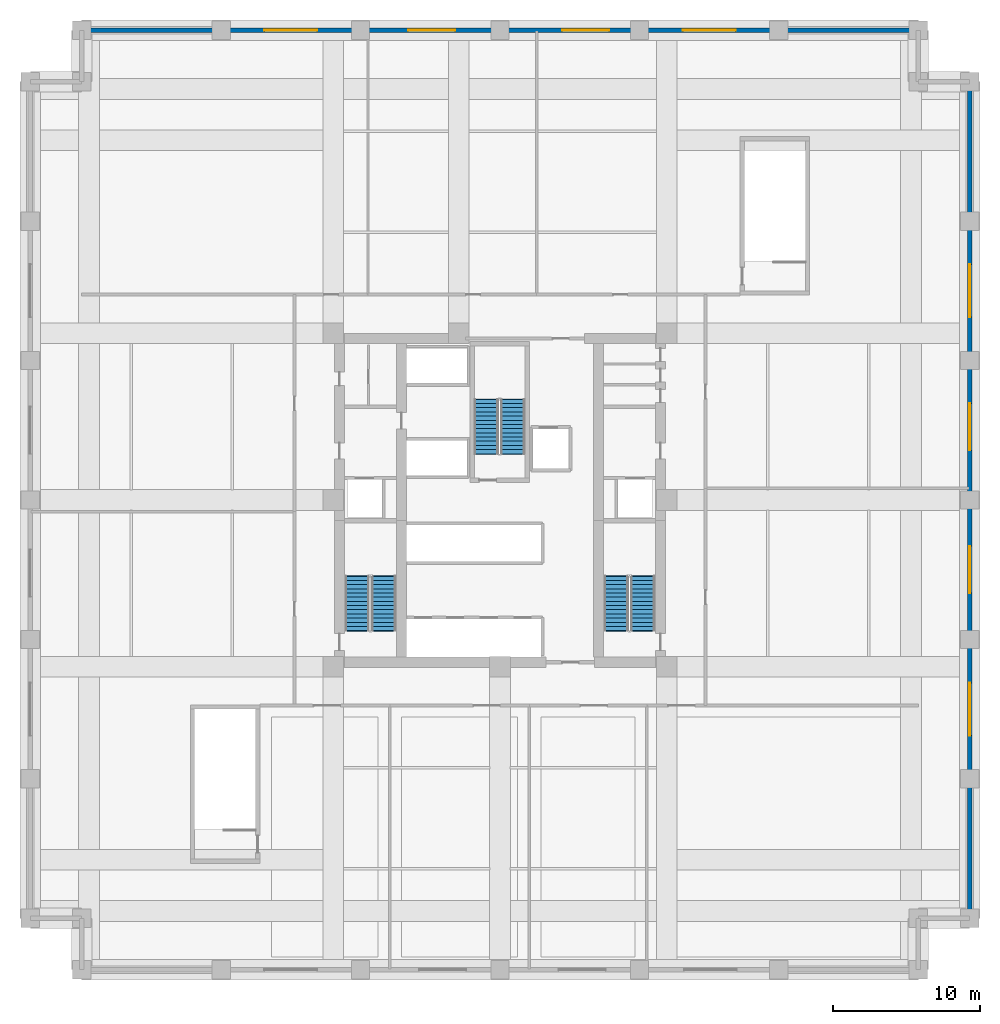
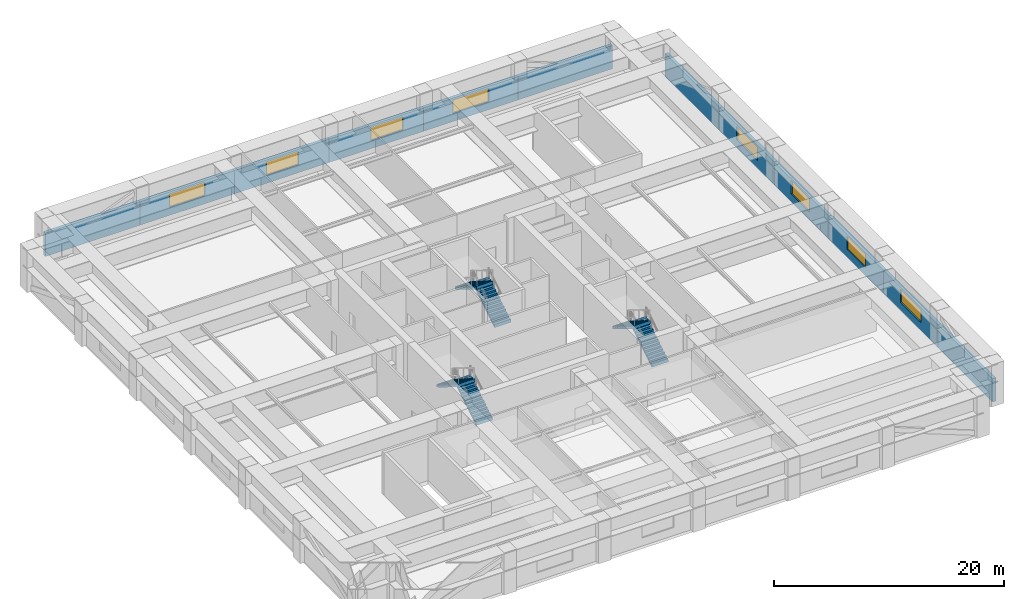
# One storey, part 5 of 8: 12 walls, 8 windows, 6 stair flights, 8 openings, 3 elements without a shape of their own.
"""IFC4 building model written with IfcOpenShell, lengths in metres."""

from ifc_helpers import new_model, si_unit, direction, frame, frame_2d, origin, place, context, subcontext, project, spatial, polyline, rectangle, outline, extrude, material, layer, layer_set, type_object, element, fill, aggregate, save


model = new_model("IFC4")

# Units and contexts
model_context = context("Model", 3, precision=1e-05, world=origin(), true_north=direction((0.0, 1.0)))
body_context = subcontext(model_context, "Body", "Model", "MODEL_VIEW")
ifc_project = project(units=[si_unit("LENGTHUNIT", "METRE"), si_unit("AREAUNIT", "SQUARE_METRE"), si_unit("VOLUMEUNIT", "CUBIC_METRE"), si_unit("PLANEANGLEUNIT", "RADIAN"), si_unit("MASSUNIT", "GRAM", prefix="KILO")], contexts=[model_context])

# Site, building, storey
site_placement = place(None, origin())
site = spatial("IfcSite", under=ifc_project, at=site_placement, CompositionType="ELEMENT")
building_placement = place(site_placement, origin())
building = spatial("IfcBuilding", under=site, at=building_placement, Name="Nhamokura Convention Tower", CompositionType="ELEMENT")
storey_placement = place(building_placement, frame((0.0, 0.0, 29.39990234375)))
storey = spatial("IfcBuildingStorey", under=building, at=storey_placement, Name="L05", CompositionType="ELEMENT", Elevation=29.39990234375)

# Wall
ifc_material_1 = material(Name="Bronze-pigmented precast concrete C45/55", Category="concrete")
ifc_layer = layer(ifc_material_1, 0.320068359375)
ifc_layer_set = layer_set([ifc_layer], Name="BronzePrecastSpandrel_320")
wall_type = type_object("IfcWallType", Name="BronzePrecastSpandrel_320", PredefinedType="USERDEFINED", material=ifc_layer_set)
wall_1_placement = place(storey_placement, frame((3.5, 64.0, 0.0), z_axis=(0.0, 0.0, 1.0), x_axis=(1.0, 0.0, 0.0)))
element("IfcWall", 1, at=wall_1_placement, inside=storey, type_object=wall_type, Name="L05 Braced-Bay Precast Wall NORTH 0", ObjectType="SPANDREL_WALL", PredefinedType="USERDEFINED", context=body_context, shape_type="SweptSolid", body=[
    extrude(rectangle(XDim=9.5, YDim=0.320068359375, at=frame_2d((4.75, 0.0))), origin(), (0.0, 0.0, 1.0), 2.47998046875),
])

# Wall, opening, window
wall_2_placement = place(storey_placement, frame((13.0, 64.0, 0.0), z_axis=(0.0, 0.0, 1.0), x_axis=(1.0, 0.0, 0.0)))
wall_2 = element("IfcWall", 2, at=wall_2_placement, inside=storey, type_object=wall_type, Name="L05 Masonry-Frame Wall NORTH 1", ObjectType="SPANDREL_WALL", PredefinedType="USERDEFINED", context=body_context, shape_type="SweptSolid", body=[
    extrude(rectangle(XDim=9.5, YDim=0.320068359375, at=frame_2d((4.75, 0.0))), origin(), (0.0, 0.0, 1.0), 2.47998046875),
])
opening_1_placement = place(wall_2_placement, frame((2.949951171875, 0.0, 0.85009765625)))
opening_1 = element("IfcOpeningElement", 3, at=opening_1_placement, cuts=wall_2, Name="Opening W-01", PredefinedType="OPENING", context=body_context, shape_type="SweptSolid", body=[
    extrude(rectangle(XDim=3.60009765625, YDim=1.429931640625, at=frame_2d((1.800048828125, 0.71484375))), frame((0.0, 0.169921875, 0.0), z_axis=(0.0, -1.0, 0.0), x_axis=(1.0, 0.0, 0.0)), (0.0, 0.0, 1.0), 0.340087890625),
])
ifc_material_2 = material(Name="Solar-control bronze low-E double glass", Category="glass")
window_type_1 = type_object("IfcWindowType", Name="PodiumClerestoryWindow_3600", PartitioningType="TRIPLE_PANEL_VERTICAL", PredefinedType="WINDOW", material=ifc_material_2)
window_1_placement = place(opening_1_placement, origin())
window_1 = element("IfcWindow", 4, at=window_1_placement, inside=storey, type_object=window_type_1, Name="L05 Facade Window NORTH 1", OverallHeight=1.429931640625, OverallWidth=3.60009765625, PartitioningType="SINGLE_PANEL", PredefinedType="WINDOW", context=body_context, shape_type="SweptSolid", body=[
    extrude(rectangle(XDim=3.60009765625, YDim=1.429931640625, at=frame_2d((1.800048828125, 0.71484375))), frame((0.0, 0.030029296875, 0.0), z_axis=(0.0, -1.0, 0.0), x_axis=(1.0, 0.0, 0.0)), (0.0, 0.0, 1.0), 0.06005859375),
])
fill(opening_1, window_1)

wall_3_placement = place(storey_placement, frame((22.5, 64.0, 0.0), z_axis=(0.0, 0.0, 1.0), x_axis=(1.0, 0.0, 0.0)))
wall_3 = element("IfcWall", 5, at=wall_3_placement, inside=storey, type_object=wall_type, Name="L05 Masonry-Frame Wall NORTH 2", ObjectType="SPANDREL_WALL", PredefinedType="USERDEFINED", context=body_context, shape_type="SweptSolid", body=[
    extrude(rectangle(XDim=9.5, YDim=0.320068359375, at=frame_2d((4.75, 0.0))), origin(), (0.0, 0.0, 1.0), 2.47998046875),
])
opening_2_placement = place(wall_3_placement, frame((3.237548828125, 0.0, 0.85009765625)))
opening_2 = element("IfcOpeningElement", 6, at=opening_2_placement, cuts=wall_3, Name="Opening W-02", PredefinedType="OPENING", context=body_context, shape_type="SweptSolid", body=[
    extrude(rectangle(XDim=3.199951171875, YDim=1.429931640625, at=frame_2d((1.60009765625, 0.71484375))), frame((0.0, 0.169921875, 0.0), z_axis=(0.0, -1.0, 0.0), x_axis=(1.0, 0.0, 0.0)), (0.0, 0.0, 1.0), 0.340087890625),
])
ifc_material_3 = material(Name="Solar-control bronze low-E double glass", Category="glass")
window_type_2 = type_object("IfcWindowType", Name="ConventionFoyerWindow_3200", PartitioningType="DOUBLE_PANEL_VERTICAL", PredefinedType="WINDOW", material=ifc_material_3)
window_2_placement = place(opening_2_placement, origin())
window_2 = element("IfcWindow", 7, at=window_2_placement, inside=storey, type_object=window_type_2, Name="L05 Facade Window NORTH 2", OverallHeight=1.429931640625, OverallWidth=3.199951171875, PartitioningType="SINGLE_PANEL", PredefinedType="WINDOW", context=body_context, shape_type="SweptSolid", body=[
    extrude(rectangle(XDim=3.199951171875, YDim=1.429931640625, at=frame_2d((1.60009765625, 0.71484375))), frame((0.0, 0.030029296875, 0.0), z_axis=(0.0, -1.0, 0.0), x_axis=(1.0, 0.0, 0.0)), (0.0, 0.0, 1.0), 0.06005859375),
])
fill(opening_2, window_2)

wall_4_placement = place(storey_placement, frame((32.0, 64.0, 0.0), z_axis=(0.0, 0.0, 1.0), x_axis=(1.0, 0.0, 0.0)))
wall_4 = element("IfcWall", 8, at=wall_4_placement, inside=storey, type_object=wall_type, Name="L05 Masonry-Frame Wall NORTH 3", ObjectType="SPANDREL_WALL", PredefinedType="USERDEFINED", context=body_context, shape_type="SweptSolid", body=[
    extrude(rectangle(XDim=9.5, YDim=0.320068359375, at=frame_2d((4.75, 0.0))), origin(), (0.0, 0.0, 1.0), 2.47998046875),
])
opening_3_placement = place(wall_4_placement, frame((4.237548828125, 0.0, 0.85009765625)))
opening_3 = element("IfcOpeningElement", 9, at=opening_3_placement, cuts=wall_4, Name="Opening W-02", PredefinedType="OPENING", context=body_context, shape_type="SweptSolid", body=[
    extrude(rectangle(XDim=3.199951171875, YDim=1.429931640625, at=frame_2d((1.60009765625, 0.71484375))), frame((0.0, 0.169921875, 0.0), z_axis=(0.0, -1.0, 0.0), x_axis=(1.0, 0.0, 0.0)), (0.0, 0.0, 1.0), 0.340087890625),
])
window_3_placement = place(opening_3_placement, origin())
window_3 = element("IfcWindow", 10, at=window_3_placement, inside=storey, type_object=window_type_2, Name="L05 Facade Window NORTH 3-2", OverallHeight=1.429931640625, OverallWidth=3.199951171875, PartitioningType="SINGLE_PANEL", PredefinedType="WINDOW", context=body_context, shape_type="SweptSolid", body=[
    extrude(rectangle(XDim=3.199951171875, YDim=1.429931640625, at=frame_2d((1.60009765625, 0.71484375))), frame((0.0, 0.030029296875, 0.0), z_axis=(0.0, -1.0, 0.0), x_axis=(1.0, 0.0, 0.0)), (0.0, 0.0, 1.0), 0.06005859375),
])
fill(opening_3, window_3)

wall_5_placement = place(storey_placement, frame((41.5, 64.0, 0.0), z_axis=(0.0, 0.0, 1.0), x_axis=(1.0, 0.0, 0.0)))
wall_5 = element("IfcWall", 11, at=wall_5_placement, inside=storey, type_object=wall_type, Name="L05 Masonry-Frame Wall NORTH 4", ObjectType="SPANDREL_WALL", PredefinedType="USERDEFINED", context=body_context, shape_type="SweptSolid", body=[
    extrude(rectangle(XDim=9.5, YDim=0.320068359375, at=frame_2d((4.75, 0.0))), origin(), (0.0, 0.0, 1.0), 2.47998046875),
])
opening_4_placement = place(wall_5_placement, frame((2.949951171875, 0.0, 0.85009765625)))
opening_4 = element("IfcOpeningElement", 12, at=opening_4_placement, cuts=wall_5, Name="Opening W-01", PredefinedType="OPENING", context=body_context, shape_type="SweptSolid", body=[
    extrude(rectangle(XDim=3.60009765625, YDim=1.429931640625, at=frame_2d((1.800048828125, 0.71484375))), frame((0.0, 0.169921875, 0.0), z_axis=(0.0, -1.0, 0.0), x_axis=(1.0, 0.0, 0.0)), (0.0, 0.0, 1.0), 0.340087890625),
])
window_4_placement = place(opening_4_placement, origin())
window_4 = element("IfcWindow", 13, at=window_4_placement, inside=storey, type_object=window_type_1, Name="L05 Facade Window NORTH 4", OverallHeight=1.429931640625, OverallWidth=3.60009765625, PartitioningType="SINGLE_PANEL", PredefinedType="WINDOW", context=body_context, shape_type="SweptSolid", body=[
    extrude(rectangle(XDim=3.60009765625, YDim=1.429931640625, at=frame_2d((1.800048828125, 0.71484375))), frame((0.0, 0.030029296875, 0.0), z_axis=(0.0, -1.0, 0.0), x_axis=(1.0, 0.0, 0.0)), (0.0, 0.0, 1.0), 0.06005859375),
])
fill(opening_4, window_4)

# Walls
for number, where, z_axis, x_axis, name in (
    (14, (51.0, 64.0, 0.0), (0.0, 0.0, 1.0), (1.0, 0.0, 0.0), "L05 Braced-Bay Precast Wall NORTH 5"),
    (15, (64.0, 13.0, 0.0), (0.0, 0.0, 1.0), (0.0, -1.0, 0.0), "L05 Braced-Bay Precast Wall EAST 0"),
):
    element("IfcWall", number, at=place(storey_placement, frame(where, z_axis=z_axis, x_axis=x_axis)), inside=storey, type_object=wall_type, Name=name, ObjectType="SPANDREL_WALL", PredefinedType="USERDEFINED", context=body_context, shape_type="SweptSolid", body=[
        extrude(rectangle(XDim=9.5, YDim=0.320068359375, at=frame_2d((4.75, 0.0))), origin(), (0.0, 0.0, 1.0), 2.47998046875),
    ])

# Wall, opening, window
wall_6_placement = place(storey_placement, frame((64.0, 22.5, 0.0), z_axis=(0.0, 0.0, 1.0), x_axis=(0.0, -1.0, 0.0)))
wall_6 = element("IfcWall", 16, at=wall_6_placement, inside=storey, type_object=wall_type, Name="L05 Masonry-Frame Wall EAST 1", ObjectType="SPANDREL_WALL", PredefinedType="USERDEFINED", context=body_context, shape_type="SweptSolid", body=[
    extrude(rectangle(XDim=9.5, YDim=0.320068359375, at=frame_2d((4.75, 0.0))), origin(), (0.0, 0.0, 1.0), 2.47998046875),
])
opening_5_placement = place(wall_6_placement, frame((2.949951171875, 0.0, 0.85009765625)))
opening_5 = element("IfcOpeningElement", 17, at=opening_5_placement, cuts=wall_6, Name="Opening W-01", PredefinedType="OPENING", context=body_context, shape_type="SweptSolid", body=[
    extrude(rectangle(XDim=3.60009765625, YDim=1.429931640625, at=frame_2d((1.800048828125, 0.71484375))), frame((0.0, 0.169921875, 0.0), z_axis=(0.0, -1.0, 0.0), x_axis=(1.0, 0.0, 0.0)), (0.0, 0.0, 1.0), 0.340087890625),
])
window_5_placement = place(opening_5_placement, origin())
window_5 = element("IfcWindow", 18, at=window_5_placement, inside=storey, type_object=window_type_1, Name="L05 Facade Window EAST 1", OverallHeight=1.429931640625, OverallWidth=3.60009765625, PartitioningType="SINGLE_PANEL", PredefinedType="WINDOW", context=body_context, shape_type="SweptSolid", body=[
    extrude(rectangle(XDim=3.60009765625, YDim=1.429931640625, at=frame_2d((1.800048828125, 0.71484375))), frame((0.0, 0.030029296875, 0.0), z_axis=(0.0, -1.0, 0.0), x_axis=(1.0, 0.0, 0.0)), (0.0, 0.0, 1.0), 0.06005859375),
])
fill(opening_5, window_5)

wall_7_placement = place(storey_placement, frame((64.0, 32.0, 0.0), z_axis=(0.0, 0.0, 1.0), x_axis=(0.0, -1.0, 0.0)))
wall_7 = element("IfcWall", 19, at=wall_7_placement, inside=storey, type_object=wall_type, Name="L05 Masonry-Frame Wall EAST 2", ObjectType="SPANDREL_WALL", PredefinedType="USERDEFINED", context=body_context, shape_type="SweptSolid", body=[
    extrude(rectangle(XDim=9.5, YDim=0.320068359375, at=frame_2d((4.75, 0.0))), origin(), (0.0, 0.0, 1.0), 2.47998046875),
])
opening_6_placement = place(wall_7_placement, frame((3.14990234375, 0.0, 0.85009765625)))
opening_6 = element("IfcOpeningElement", 20, at=opening_6_placement, cuts=wall_7, Name="Opening W-02", PredefinedType="OPENING", context=body_context, shape_type="SweptSolid", body=[
    extrude(rectangle(XDim=3.199951171875, YDim=1.429931640625, at=frame_2d((1.60009765625, 0.71484375))), frame((0.0, 0.169921875, 0.0), z_axis=(0.0, -1.0, 0.0), x_axis=(1.0, 0.0, 0.0)), (0.0, 0.0, 1.0), 0.340087890625),
])
window_6_placement = place(opening_6_placement, origin())
window_6 = element("IfcWindow", 21, at=window_6_placement, inside=storey, type_object=window_type_2, Name="L05 Facade Window EAST 2", OverallHeight=1.429931640625, OverallWidth=3.199951171875, PartitioningType="SINGLE_PANEL", PredefinedType="WINDOW", context=body_context, shape_type="SweptSolid", body=[
    extrude(rectangle(XDim=3.199951171875, YDim=1.429931640625, at=frame_2d((1.60009765625, 0.71484375))), frame((0.0, 0.030029296875, 0.0), z_axis=(0.0, -1.0, 0.0), x_axis=(1.0, 0.0, 0.0)), (0.0, 0.0, 1.0), 0.06005859375),
])
fill(opening_6, window_6)

wall_8_placement = place(storey_placement, frame((64.0, 41.5, 0.0), z_axis=(0.0, 0.0, 1.0), x_axis=(0.0, -1.0, 0.0)))
wall_8 = element("IfcWall", 22, at=wall_8_placement, inside=storey, type_object=wall_type, Name="L05 Masonry-Frame Wall EAST 3", ObjectType="SPANDREL_WALL", PredefinedType="USERDEFINED", context=body_context, shape_type="SweptSolid", body=[
    extrude(rectangle(XDim=9.5, YDim=0.320068359375, at=frame_2d((4.75, 0.0))), origin(), (0.0, 0.0, 1.0), 2.47998046875),
])
opening_7_placement = place(wall_8_placement, frame((2.91259765625, 0.0, 0.85009765625)))
opening_7 = element("IfcOpeningElement", 23, at=opening_7_placement, cuts=wall_8, Name="Opening W-02", PredefinedType="OPENING", context=body_context, shape_type="SweptSolid", body=[
    extrude(rectangle(XDim=3.199951171875, YDim=1.429931640625, at=frame_2d((1.60009765625, 0.71484375))), frame((0.0, 0.169921875, 0.0), z_axis=(0.0, -1.0, 0.0), x_axis=(1.0, 0.0, 0.0)), (0.0, 0.0, 1.0), 0.340087890625),
])
window_7_placement = place(opening_7_placement, origin())
window_7 = element("IfcWindow", 24, at=window_7_placement, inside=storey, type_object=window_type_2, Name="L05 Facade Window EAST 3", OverallHeight=1.429931640625, OverallWidth=3.199951171875, PartitioningType="SINGLE_PANEL", PredefinedType="WINDOW", context=body_context, shape_type="SweptSolid", body=[
    extrude(rectangle(XDim=3.199951171875, YDim=1.429931640625, at=frame_2d((1.60009765625, 0.71484375))), frame((0.0, 0.030029296875, 0.0), z_axis=(0.0, -1.0, 0.0), x_axis=(1.0, 0.0, 0.0)), (0.0, 0.0, 1.0), 0.06005859375),
])
fill(opening_7, window_7)

wall_9_placement = place(storey_placement, frame((64.0, 51.0, 0.0), z_axis=(0.0, 0.0, 1.0), x_axis=(0.0, -1.0, 0.0)))
wall_9 = element("IfcWall", 25, at=wall_9_placement, inside=storey, type_object=wall_type, Name="L05 Masonry-Frame Wall EAST 4", ObjectType="SPANDREL_WALL", PredefinedType="USERDEFINED", context=body_context, shape_type="SweptSolid", body=[
    extrude(rectangle(XDim=9.5, YDim=0.320068359375, at=frame_2d((4.75, 0.0))), origin(), (0.0, 0.0, 1.0), 2.47998046875),
])
opening_8_placement = place(wall_9_placement, frame((2.949951171875, 0.0, 0.85009765625)))
opening_8 = element("IfcOpeningElement", 26, at=opening_8_placement, cuts=wall_9, Name="Opening W-01", PredefinedType="OPENING", context=body_context, shape_type="SweptSolid", body=[
    extrude(rectangle(XDim=3.60009765625, YDim=1.429931640625, at=frame_2d((1.800048828125, 0.71484375))), frame((0.0, 0.169921875, 0.0), z_axis=(0.0, -1.0, 0.0), x_axis=(1.0, 0.0, 0.0)), (0.0, 0.0, 1.0), 0.340087890625),
])
window_8_placement = place(opening_8_placement, origin())
window_8 = element("IfcWindow", 27, at=window_8_placement, inside=storey, type_object=window_type_1, Name="L05 Facade Window EAST 4", OverallHeight=1.429931640625, OverallWidth=3.60009765625, PartitioningType="SINGLE_PANEL", PredefinedType="WINDOW", context=body_context, shape_type="SweptSolid", body=[
    extrude(rectangle(XDim=3.60009765625, YDim=1.429931640625, at=frame_2d((1.800048828125, 0.71484375))), frame((0.0, 0.030029296875, 0.0), z_axis=(0.0, -1.0, 0.0), x_axis=(1.0, 0.0, 0.0)), (0.0, 0.0, 1.0), 0.06005859375),
])
fill(opening_8, window_8)

# Wall
wall_10_placement = place(storey_placement, frame((64.0, 60.5, 0.0), z_axis=(0.0, 0.0, 1.0), x_axis=(0.0, -1.0, 0.0)))
element("IfcWall", 28, at=wall_10_placement, inside=storey, type_object=wall_type, Name="L05 Braced-Bay Precast Wall EAST 5", ObjectType="SPANDREL_WALL", PredefinedType="USERDEFINED", context=body_context, shape_type="SweptSolid", body=[
    extrude(rectangle(XDim=9.5, YDim=0.320068359375, at=frame_2d((4.75, 0.0))), origin(), (0.0, 0.0, 1.0), 2.47998046875),
])

# Stair, stair flights
ifc_material_4 = material(Name="Concrete C40/50", Category="concrete")
stair_type = type_object("IfcStairType", Name="TowerCoreStair_1650", PredefinedType="HALF_TURN_STAIR", material=ifc_material_4)
stair_1_placement = place(storey_placement, origin())
stair_1 = element("IfcStair", 29, at=stair_1_placement, inside=storey, type_object=stair_type, Name="L05 West Core Smokeproof Stair ST-01", PredefinedType="HALF_TURN_STAIR")
ifc_material_5 = material(Name="Concrete C40/50", Category="concrete")
stair_flight_type = type_object("IfcStairFlightType", Name="TowerCoreStair_1650_Flight", PredefinedType="STRAIGHT", material=ifc_material_5)
stair_flight_1_placement = place(storey_placement, frame((24.074951171875, 23.10009765625, 0.0), z_axis=(0.0, 0.0, 1.0), x_axis=(0.0, 1.0, 0.0)))
stair_flight_1 = element("IfcStairFlight", 30, at=stair_flight_1_placement, type_object=stair_flight_type, Name="ST-01 flight 1", NumberOfRisers=14, NumberOfTreads=13, PredefinedType="STRAIGHT", RiserHeight=0.175, TreadLength=0.285, context=body_context, shape_type="SweptSolid", body=[
    extrude(outline(polyline([(-0.0419921875, 0.0), (0.0, 0.175048828125), (0.284912109375, 0.175048828125), (0.284912109375, 0.35009765625), (0.570068359375, 0.35009765625), (0.570068359375, 0.52490234375), (0.85498046875, 0.52490234375), (0.85498046875, 0.699951171875), (1.139892578125, 0.699951171875), (1.139892578125, 0.875), (1.425048828125, 0.875), (1.425048828125, 1.050048828125), (1.7099609375, 1.050048828125), (1.7099609375, 1.22509765625), (1.9951171875, 1.22509765625), (1.9951171875, 1.39990234375), (2.280029296875, 1.39990234375), (2.280029296875, 1.574951171875), (2.56494140625, 1.574951171875), (2.56494140625, 1.75), (2.85009765625, 1.75), (2.85009765625, 1.925048828125), (3.135009765625, 1.925048828125), (3.135009765625, 2.10009765625), (3.419921875, 2.10009765625), (3.419921875, 2.27490234375), (3.705078125, 2.27490234375), (3.705078125, 2.449951171875), (3.7470703125, 2.449951171875), (3.7470703125, 2.09912109375), (3.705078125, 2.09912109375), (0.286376953125, 0.0), (0.02001953125, -0.1298828125), (-0.0419921875, -0.1298828125), (-0.0419921875, 0.0)])), frame((0.0, 0.824951171875, 0.0), z_axis=(0.0, -1.0, 0.0), x_axis=(1.0, 0.0, 0.0)), (0.0, 0.0, 1.0), 1.64990234375),
])
stair_flight_2_placement = place(storey_placement, frame((22.27490234375, 26.804931640625, 2.4501953125), z_axis=(0.0, 0.0, 1.0), x_axis=(0.0, -1.0, 0.0)))
stair_flight_2 = element("IfcStairFlight", 31, at=stair_flight_2_placement, type_object=stair_flight_type, Name="ST-01 flight 2", NumberOfRisers=14, NumberOfTreads=13, PredefinedType="STRAIGHT", RiserHeight=0.175, TreadLength=0.285, context=body_context, shape_type="SweptSolid", body=[
    extrude(outline(polyline([(-0.0419921875, 0.0), (0.0, 0.175048828125), (0.284912109375, 0.175048828125), (0.284912109375, 0.35009765625), (0.570068359375, 0.35009765625), (0.570068359375, 0.52490234375), (0.85498046875, 0.52490234375), (0.85498046875, 0.699951171875), (1.139892578125, 0.699951171875), (1.139892578125, 0.875), (1.425048828125, 0.875), (1.425048828125, 1.050048828125), (1.7099609375, 1.050048828125), (1.7099609375, 1.22509765625), (1.9951171875, 1.22509765625), (1.9951171875, 1.39990234375), (2.280029296875, 1.39990234375), (2.280029296875, 1.574951171875), (2.56494140625, 1.574951171875), (2.56494140625, 1.75), (2.85009765625, 1.75), (2.85009765625, 1.925048828125), (3.135009765625, 1.925048828125), (3.135009765625, 2.10009765625), (3.419921875, 2.10009765625), (3.419921875, 2.27490234375), (3.705078125, 2.27490234375), (3.705078125, 2.449951171875), (3.7470703125, 2.449951171875), (3.7470703125, 2.09912109375), (3.705078125, 2.09912109375), (0.286376953125, 0.0), (0.02001953125, -0.1298828125), (-0.0419921875, -0.1298828125), (-0.0419921875, 0.0)])), frame((0.0, 0.824951171875, 0.0), z_axis=(0.0, -1.0, 0.0), x_axis=(1.0, 0.0, 0.0)), (0.0, 0.0, 1.0), 1.64990234375),
])
aggregate(stair_1, [stair_flight_1, stair_flight_2])

stair_2_placement = place(storey_placement, origin())
stair_2 = element("IfcStair", 32, at=stair_2_placement, inside=storey, type_object=stair_type, Name="L05 East Core Smokeproof Stair ST-02", PredefinedType="HALF_TURN_STAIR")
stair_flight_3_placement = place(storey_placement, frame((41.72509765625, 23.10009765625, 0.0), z_axis=(0.0, 0.0, 1.0), x_axis=(0.0, 1.0, 0.0)))
stair_flight_3 = element("IfcStairFlight", 33, at=stair_flight_3_placement, type_object=stair_flight_type, Name="ST-02 flight 1", NumberOfRisers=14, NumberOfTreads=13, PredefinedType="STRAIGHT", RiserHeight=0.175, TreadLength=0.285, context=body_context, shape_type="SweptSolid", body=[
    extrude(outline(polyline([(-0.0419921875, 0.0), (0.0, 0.175048828125), (0.284912109375, 0.175048828125), (0.284912109375, 0.35009765625), (0.570068359375, 0.35009765625), (0.570068359375, 0.52490234375), (0.85498046875, 0.52490234375), (0.85498046875, 0.699951171875), (1.139892578125, 0.699951171875), (1.139892578125, 0.875), (1.425048828125, 0.875), (1.425048828125, 1.050048828125), (1.7099609375, 1.050048828125), (1.7099609375, 1.22509765625), (1.9951171875, 1.22509765625), (1.9951171875, 1.39990234375), (2.280029296875, 1.39990234375), (2.280029296875, 1.574951171875), (2.56494140625, 1.574951171875), (2.56494140625, 1.75), (2.85009765625, 1.75), (2.85009765625, 1.925048828125), (3.135009765625, 1.925048828125), (3.135009765625, 2.10009765625), (3.419921875, 2.10009765625), (3.419921875, 2.27490234375), (3.705078125, 2.27490234375), (3.705078125, 2.449951171875), (3.7470703125, 2.449951171875), (3.7470703125, 2.09912109375), (3.705078125, 2.09912109375), (0.286376953125, 0.0), (0.02001953125, -0.1298828125), (-0.0419921875, -0.1298828125), (-0.0419921875, 0.0)])), frame((0.0, 0.824951171875, 0.0), z_axis=(0.0, -1.0, 0.0), x_axis=(1.0, 0.0, 0.0)), (0.0, 0.0, 1.0), 1.64990234375),
])
stair_flight_4_placement = place(storey_placement, frame((39.925048828125, 26.804931640625, 2.4501953125), z_axis=(0.0, 0.0, 1.0), x_axis=(0.0, -1.0, 0.0)))
stair_flight_4 = element("IfcStairFlight", 34, at=stair_flight_4_placement, type_object=stair_flight_type, Name="ST-02 flight 2", NumberOfRisers=14, NumberOfTreads=13, PredefinedType="STRAIGHT", RiserHeight=0.175, TreadLength=0.285, context=body_context, shape_type="SweptSolid", body=[
    extrude(outline(polyline([(-0.0419921875, 0.0), (0.0, 0.175048828125), (0.284912109375, 0.175048828125), (0.284912109375, 0.35009765625), (0.570068359375, 0.35009765625), (0.570068359375, 0.52490234375), (0.85498046875, 0.52490234375), (0.85498046875, 0.699951171875), (1.139892578125, 0.699951171875), (1.139892578125, 0.875), (1.425048828125, 0.875), (1.425048828125, 1.050048828125), (1.7099609375, 1.050048828125), (1.7099609375, 1.22509765625), (1.9951171875, 1.22509765625), (1.9951171875, 1.39990234375), (2.280029296875, 1.39990234375), (2.280029296875, 1.574951171875), (2.56494140625, 1.574951171875), (2.56494140625, 1.75), (2.85009765625, 1.75), (2.85009765625, 1.925048828125), (3.135009765625, 1.925048828125), (3.135009765625, 2.10009765625), (3.419921875, 2.10009765625), (3.419921875, 2.27490234375), (3.705078125, 2.27490234375), (3.705078125, 2.449951171875), (3.7470703125, 2.449951171875), (3.7470703125, 2.09912109375), (3.705078125, 2.09912109375), (0.286376953125, 0.0), (0.02001953125, -0.1298828125), (-0.0419921875, -0.1298828125), (-0.0419921875, 0.0)])), frame((0.0, 0.824951171875, 0.0), z_axis=(0.0, -1.0, 0.0), x_axis=(1.0, 0.0, 0.0)), (0.0, 0.0, 1.0), 1.64990234375),
])
aggregate(stair_2, [stair_flight_3, stair_flight_4])

stair_3_placement = place(storey_placement, origin())
stair_3 = element("IfcStair", 35, at=stair_3_placement, inside=storey, type_object=stair_type, Name="L05 North Core Smokeproof Stair ST-03", PredefinedType="HALF_TURN_STAIR")
stair_flight_5_placement = place(storey_placement, frame((32.875, 35.14990234375, 0.0), z_axis=(0.0, 0.0, 1.0), x_axis=(0.0, 1.0, 0.0)))
stair_flight_5 = element("IfcStairFlight", 36, at=stair_flight_5_placement, type_object=stair_flight_type, Name="ST-03 flight 1", NumberOfRisers=14, NumberOfTreads=13, PredefinedType="STRAIGHT", RiserHeight=0.175, TreadLength=0.285, context=body_context, shape_type="SweptSolid", body=[
    extrude(outline(polyline([(-0.0419921875, 0.0), (0.0, 0.175048828125), (0.284912109375, 0.175048828125), (0.284912109375, 0.35009765625), (0.570068359375, 0.35009765625), (0.570068359375, 0.52490234375), (0.85498046875, 0.52490234375), (0.85498046875, 0.699951171875), (1.139892578125, 0.699951171875), (1.139892578125, 0.875), (1.425048828125, 0.875), (1.425048828125, 1.050048828125), (1.7099609375, 1.050048828125), (1.7099609375, 1.22509765625), (1.9951171875, 1.22509765625), (1.9951171875, 1.39990234375), (2.280029296875, 1.39990234375), (2.280029296875, 1.574951171875), (2.56494140625, 1.574951171875), (2.56494140625, 1.75), (2.85009765625, 1.75), (2.85009765625, 1.925048828125), (3.135009765625, 1.925048828125), (3.135009765625, 2.10009765625), (3.419921875, 2.10009765625), (3.419921875, 2.27490234375), (3.705078125, 2.27490234375), (3.705078125, 2.449951171875), (3.7470703125, 2.449951171875), (3.7470703125, 2.09912109375), (3.705078125, 2.09912109375), (0.286376953125, 0.0), (0.02001953125, -0.1298828125), (-0.0419921875, -0.1298828125), (-0.0419921875, 0.0)])), frame((0.0, 0.824951171875, 0.0), z_axis=(0.0, -1.0, 0.0), x_axis=(1.0, 0.0, 0.0)), (0.0, 0.0, 1.0), 1.64990234375),
])
stair_flight_6_placement = place(storey_placement, frame((31.074951171875, 38.85498046875, 2.4501953125), z_axis=(0.0, 0.0, 1.0), x_axis=(0.0, -1.0, 0.0)))
stair_flight_6 = element("IfcStairFlight", 37, at=stair_flight_6_placement, type_object=stair_flight_type, Name="ST-03 flight 2", NumberOfRisers=14, NumberOfTreads=13, PredefinedType="STRAIGHT", RiserHeight=0.175, TreadLength=0.285, context=body_context, shape_type="SweptSolid", body=[
    extrude(outline(polyline([(-0.0419921875, 0.0), (0.0, 0.175048828125), (0.284912109375, 0.175048828125), (0.284912109375, 0.35009765625), (0.570068359375, 0.35009765625), (0.570068359375, 0.52490234375), (0.85498046875, 0.52490234375), (0.85498046875, 0.699951171875), (1.139892578125, 0.699951171875), (1.139892578125, 0.875), (1.425048828125, 0.875), (1.425048828125, 1.050048828125), (1.7099609375, 1.050048828125), (1.7099609375, 1.22509765625), (1.9951171875, 1.22509765625), (1.9951171875, 1.39990234375), (2.280029296875, 1.39990234375), (2.280029296875, 1.574951171875), (2.56494140625, 1.574951171875), (2.56494140625, 1.75), (2.85009765625, 1.75), (2.85009765625, 1.925048828125), (3.135009765625, 1.925048828125), (3.135009765625, 2.10009765625), (3.419921875, 2.10009765625), (3.419921875, 2.27490234375), (3.705078125, 2.27490234375), (3.705078125, 2.449951171875), (3.7470703125, 2.449951171875), (3.7470703125, 2.09912109375), (3.705078125, 2.09912109375), (0.286376953125, 0.0), (0.02001953125, -0.1298828125), (-0.0419921875, -0.1298828125), (-0.0419921875, 0.0)])), frame((0.0, 0.824951171875, 0.0), z_axis=(0.0, -1.0, 0.0), x_axis=(1.0, 0.0, 0.0)), (0.0, 0.0, 1.0), 1.64990234375),
])
aggregate(stair_3, [stair_flight_5, stair_flight_6])

save(model, "model.ifc")
